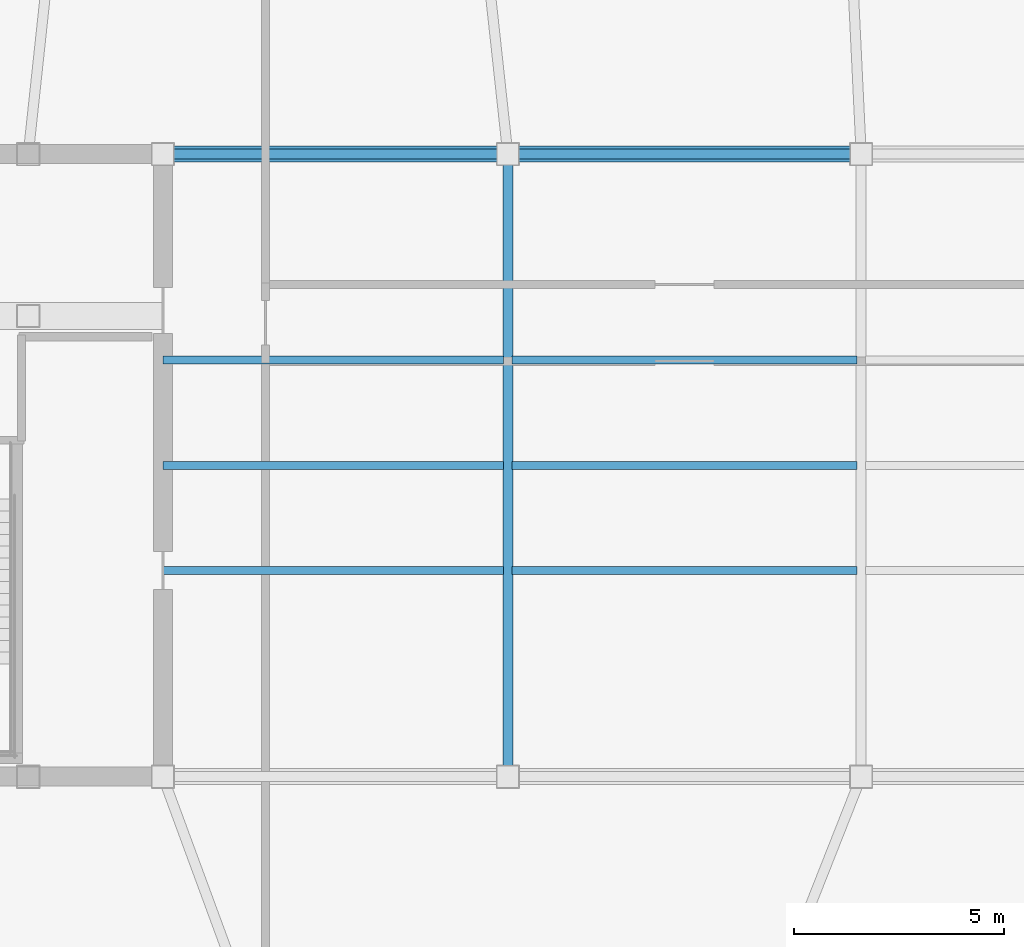
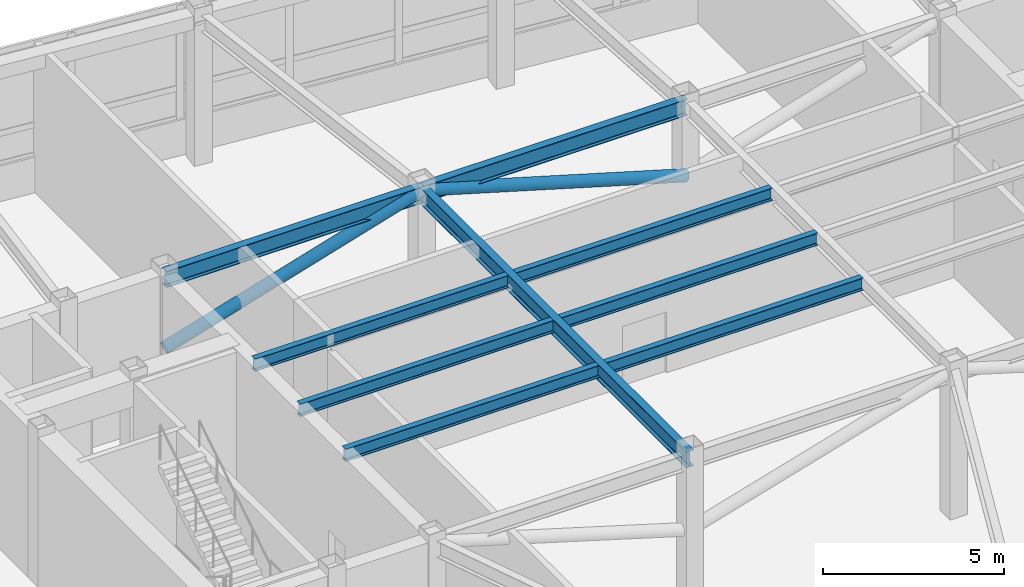
# One storey, part 8 of 23: 9 beams, 2 members.
"""IFC4 building model written with IfcOpenShell, lengths in metres."""

from ifc_helpers import new_model, si_unit, direction, frame, origin, origin_2d, place, context, subcontext, project, spatial, hollow_circle, i_section, extrude, material, material_profile, profile_set, type_object, element, save


model = new_model("IFC4")

# Units and contexts
model_context = context("Model", 3, precision=1e-05, world=origin(), true_north=direction((0.0, 1.0)))
body_context = subcontext(model_context, "Body", "Model", "MODEL_VIEW")
ifc_project = project(units=[si_unit("LENGTHUNIT", "METRE"), si_unit("AREAUNIT", "SQUARE_METRE"), si_unit("VOLUMEUNIT", "CUBIC_METRE"), si_unit("PLANEANGLEUNIT", "RADIAN"), si_unit("MASSUNIT", "GRAM", prefix="KILO")], contexts=[model_context])

# Site, building, storey
site_placement = place(None, origin())
site = spatial("IfcSite", under=ifc_project, at=site_placement, CompositionType="ELEMENT")
building_placement = place(site_placement, origin())
building = spatial("IfcBuilding", under=site, at=building_placement, Name="Voryun Gate Residences", CompositionType="ELEMENT")
storey_placement = place(building_placement, frame((0.0, 0.0, 321.300048828125)))
storey = spatial("IfcBuildingStorey", under=building, at=storey_placement, Name="L79", CompositionType="ELEMENT", Elevation=321.300048828125)

# Beams
ifc_material_1 = material(Name="Steel SM355", Category="steel")
ifc_material_profile_1 = material_profile(ifc_material_1, i_section(OverallWidth=0.239990234375, OverallDepth=0.550048828125, WebThickness=0.011962890625, FlangeThickness=0.02001953125, FilletRadius=0.01806640625, at=origin_2d()), Name="H-550x240x12x20")
ifc_profile_set_1 = profile_set([ifc_material_profile_1], Name="Steel SM355")
beam_type_1 = type_object("IfcBeamType", Name="BM_GIRD_550", PredefinedType="USERDEFINED", material=ifc_profile_set_1)
beam_1_placement = place(storey_placement, frame((-12.39990234375, 7.39990234375, 4.75), z_axis=(1.0, 0.0, 0.0), x_axis=(0.0, 1.0, 0.0)))
element("IfcBeam", 1, at=beam_1_placement, inside=storey, type_object=beam_type_1, Name="BM-L79-SPG1-N", ObjectType="GIRDER", PredefinedType="USERDEFINED", context=body_context, shape_type="SweptSolid", body=[
    extrude(i_section(OverallWidth=0.239990234375, OverallDepth=0.550048828125, WebThickness=0.011962890625, FlangeThickness=0.02001953125, FilletRadius=0.01806640625, at=origin_2d()), origin(), (0.0, 0.0, 1.0), 8.199951171875),
])
beam_2_placement = place(storey_placement, frame((-4.199951171875, 7.39990234375, 4.75), z_axis=(1.0, 0.0, 0.0), x_axis=(0.0, 1.0, 0.0)))
element("IfcBeam", 2, at=beam_2_placement, inside=storey, type_object=beam_type_1, Name="BM-L79-SPG2-N", ObjectType="GIRDER", PredefinedType="USERDEFINED", context=body_context, shape_type="SweptSolid", body=[
    extrude(i_section(OverallWidth=0.239990234375, OverallDepth=0.550048828125, WebThickness=0.011962890625, FlangeThickness=0.02001953125, FilletRadius=0.01806640625, at=origin_2d()), origin(), (0.0, 0.0, 1.0), 8.39990234375),
])
beam_3_placement = place(storey_placement, frame((-4.199951171875, -7.39990234375, 4.75), z_axis=(0.0, 1.0, 0.0), x_axis=(-1.0, 0.0, 0.0)))
element("IfcBeam", 3, at=beam_3_placement, inside=storey, type_object=beam_type_1, Name="BM-L79-SPX-W", ObjectType="GIRDER", PredefinedType="USERDEFINED", context=body_context, shape_type="SweptSolid", body=[
    extrude(i_section(OverallWidth=0.239990234375, OverallDepth=0.550048828125, WebThickness=0.011962890625, FlangeThickness=0.02001953125, FilletRadius=0.01806640625, at=origin_2d()), origin(), (0.0, 0.0, 1.0), 14.7998046875),
])
ifc_material_2 = material(Name="Steel SM355", Category="steel")
ifc_material_profile_2 = material_profile(ifc_material_2, i_section(OverallWidth=0.18994140625, OverallDepth=0.419921875, WebThickness=0.009033203125, FlangeThickness=0.01611328125, FilletRadius=0.01806640625, at=origin_2d()), Name="H-420x190x9x16")
ifc_profile_set_2 = profile_set([ifc_material_profile_2], Name="Steel SM355")
beam_type_2 = type_object("IfcBeamType", Name="BM_SEC_420", PredefinedType="BEAM", material=ifc_profile_set_2)
beam_4_placement = place(storey_placement, frame((-12.39990234375, -2.5, 4.81494140625), z_axis=(1.0, 0.0, 0.0), x_axis=(0.0, 1.0, 0.0)))
element("IfcBeam", 4, at=beam_4_placement, inside=storey, type_object=beam_type_2, Name="BM-L79-SEC-CS1", PredefinedType="BEAM", context=body_context, shape_type="SweptSolid", body=[
    extrude(i_section(OverallWidth=0.18994140625, OverallDepth=0.419921875, WebThickness=0.009033203125, FlangeThickness=0.01611328125, FilletRadius=0.01806640625, at=origin_2d()), origin(), (0.0, 0.0, 1.0), 8.099853515625),
])
beam_5_placement = place(storey_placement, frame((-4.10009765625, -2.5, 4.81494140625), z_axis=(1.0, 0.0, 0.0), x_axis=(0.0, 1.0, 0.0)))
element("IfcBeam", 5, at=beam_5_placement, inside=storey, type_object=beam_type_2, Name="BM-L79-SEC-CS2", PredefinedType="BEAM", context=body_context, shape_type="SweptSolid", body=[
    extrude(i_section(OverallWidth=0.18994140625, OverallDepth=0.419921875, WebThickness=0.009033203125, FlangeThickness=0.01611328125, FilletRadius=0.01806640625, at=origin_2d()), origin(), (0.0, 0.0, 1.0), 8.2001953125),
])
beam_6_placement = place(storey_placement, frame((-12.39990234375, 0.0, 4.81494140625), z_axis=(1.0, 0.0, 0.0), x_axis=(0.0, 1.0, 0.0)))
element("IfcBeam", 6, at=beam_6_placement, inside=storey, type_object=beam_type_2, Name="BM-L79-SEC-CM1", PredefinedType="BEAM", context=body_context, shape_type="SweptSolid", body=[
    extrude(i_section(OverallWidth=0.18994140625, OverallDepth=0.419921875, WebThickness=0.009033203125, FlangeThickness=0.01611328125, FilletRadius=0.01806640625, at=origin_2d()), origin(), (0.0, 0.0, 1.0), 8.099853515625),
])
beam_7_placement = place(storey_placement, frame((-4.10009765625, 0.0, 4.81494140625), z_axis=(1.0, 0.0, 0.0), x_axis=(0.0, 1.0, 0.0)))
element("IfcBeam", 7, at=beam_7_placement, inside=storey, type_object=beam_type_2, Name="BM-L79-SEC-CM2", PredefinedType="BEAM", context=body_context, shape_type="SweptSolid", body=[
    extrude(i_section(OverallWidth=0.18994140625, OverallDepth=0.419921875, WebThickness=0.009033203125, FlangeThickness=0.01611328125, FilletRadius=0.01806640625, at=origin_2d()), origin(), (0.0, 0.0, 1.0), 8.2001953125),
])
beam_8_placement = place(storey_placement, frame((-12.39990234375, 2.5, 4.81494140625), z_axis=(1.0, 0.0, 0.0), x_axis=(0.0, 1.0, 0.0)))
element("IfcBeam", 8, at=beam_8_placement, inside=storey, type_object=beam_type_2, Name="BM-L79-SEC-CN1", PredefinedType="BEAM", context=body_context, shape_type="SweptSolid", body=[
    extrude(i_section(OverallWidth=0.18994140625, OverallDepth=0.419921875, WebThickness=0.009033203125, FlangeThickness=0.01611328125, FilletRadius=0.01806640625, at=origin_2d()), origin(), (0.0, 0.0, 1.0), 8.099853515625),
])
beam_9_placement = place(storey_placement, frame((-4.10009765625, 2.5, 4.81494140625), z_axis=(1.0, 0.0, 0.0), x_axis=(0.0, 1.0, 0.0)))
element("IfcBeam", 9, at=beam_9_placement, inside=storey, type_object=beam_type_2, Name="BM-L79-SEC-CN2", PredefinedType="BEAM", context=body_context, shape_type="SweptSolid", body=[
    extrude(i_section(OverallWidth=0.18994140625, OverallDepth=0.419921875, WebThickness=0.009033203125, FlangeThickness=0.01611328125, FilletRadius=0.01806640625, at=origin_2d()), origin(), (0.0, 0.0, 1.0), 8.2001953125),
])

# Members
ifc_material_3 = material(Name="Steel SM355", Category="steel")
ifc_material_profile_3 = material_profile(ifc_material_3, hollow_circle(Radius=0.18994140625, WallThickness=0.01806640625, at=origin_2d()), Name="CHS-380x18")
ifc_profile_set_3 = profile_set([ifc_material_profile_3], Name="Steel SM355")
member_type = type_object("IfcMemberType", Name="MBR_CROWN_DIAGRID", PredefinedType="BRACE", material=ifc_profile_set_3)
member_1_placement = place(storey_placement, frame((-12.39990234375, 7.39990234375, 2.3798828125), z_axis=(0.957662114733, 0.0, 0.287894553621), x_axis=(0.0, 1.0, 0.0)))
element("IfcMember", 10, at=member_1_placement, inside=storey, type_object=member_type, Name="L79 Lantern Spine Diagrid Brace 04", PredefinedType="BRACE", context=body_context, shape_type="SweptSolid", body=[
    extrude(hollow_circle(Radius=0.18994140625, WallThickness=0.01806640625, at=origin_2d()), origin(), (0.0, 0.0, 1.0), 8.5625),
])
member_2_placement = place(storey_placement, frame((4.199951171875, 7.39990234375, 2.3798828125), z_axis=(-0.959534525743, 0.0, 0.281591004663), x_axis=(0.0, -1.0, 0.0)))
element("IfcMember", 11, at=member_2_placement, inside=storey, type_object=member_type, Name="L79 Lantern Spine Diagrid Brace 05", PredefinedType="BRACE", context=body_context, shape_type="SweptSolid", body=[
    extrude(hollow_circle(Radius=0.18994140625, WallThickness=0.01806640625, at=origin_2d()), origin(), (0.0, 0.0, 1.0), 8.754150390625),
])

save(model, "model.ifc")
